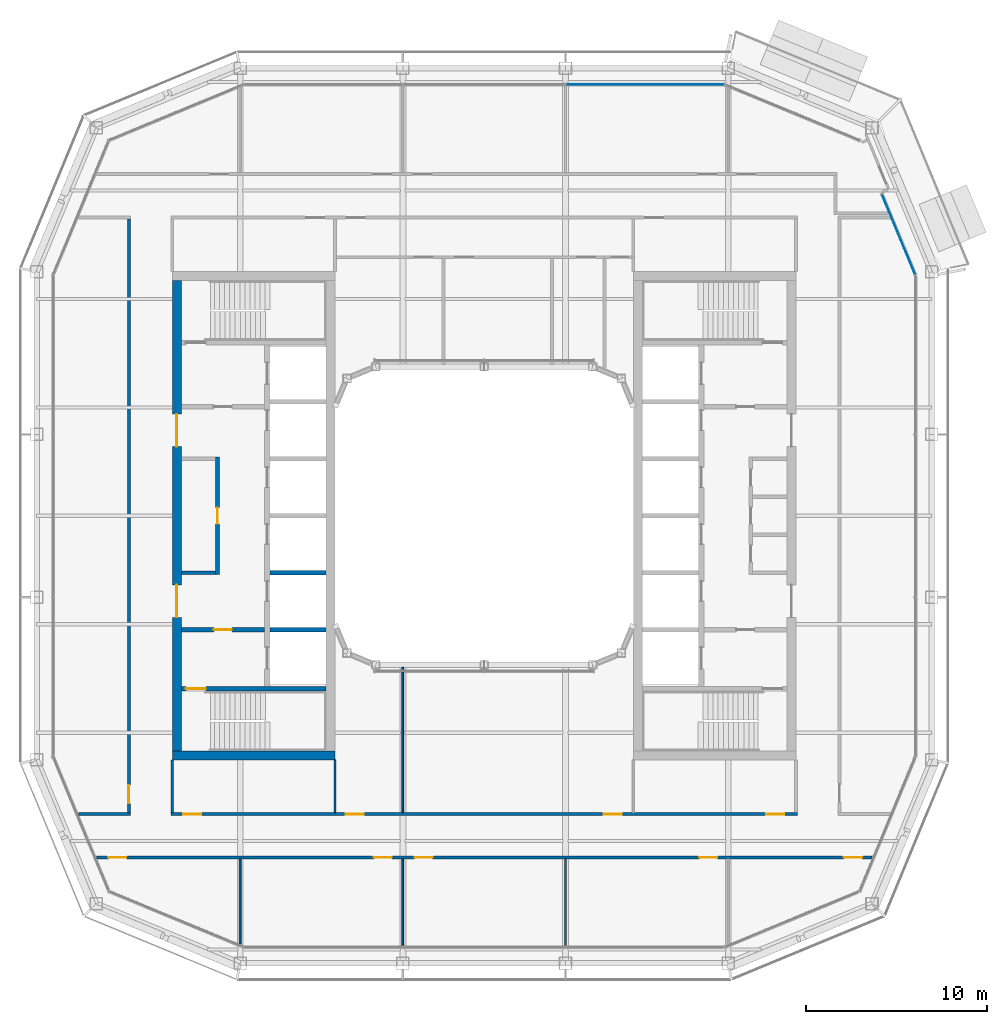
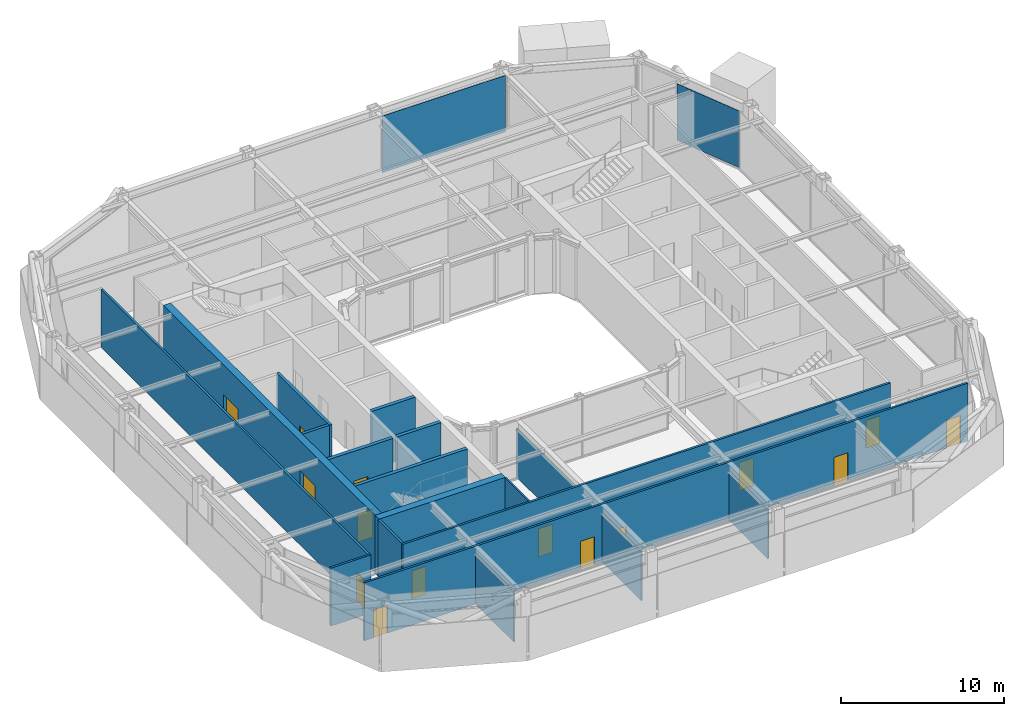
# One storey, part 11 of 21: 18 walls, 15 doors, 2 plates, 15 openings, 2 elements without a shape of their own.
"""IFC4 building model written with IfcOpenShell, lengths in metres."""

from ifc_helpers import new_model, si_unit, direction, frame, frame_2d, origin, origin_2d, place, context, subcontext, project, spatial, rectangle, extrude, material, layer, layer_set, type_object, element, fill, aggregate, save


model = new_model("IFC4")

# Units and contexts
model_context = context("Model", 3, precision=1e-05, world=origin(), true_north=direction((0.0, 1.0)))
body_context = subcontext(model_context, "Body", "Model", "MODEL_VIEW")
ifc_project = project(units=[si_unit("LENGTHUNIT", "METRE"), si_unit("AREAUNIT", "SQUARE_METRE"), si_unit("VOLUMEUNIT", "CUBIC_METRE"), si_unit("PLANEANGLEUNIT", "RADIAN"), si_unit("MASSUNIT", "GRAM", prefix="KILO")], contexts=[model_context])

# Site, building, storey
site_placement = place(None, origin())
site = spatial("IfcSite", under=ifc_project, at=site_placement, CompositionType="ELEMENT")
building_placement = place(site_placement, origin())
building = spatial("IfcBuilding", under=site, at=building_placement, Name="Siwar Civic Tower", CompositionType="ELEMENT")
storey_placement = place(building_placement, frame((0.0, 0.0, 325.699951171875)))
storey = spatial("IfcBuildingStorey", under=building, at=storey_placement, Name="L70", CompositionType="ELEMENT", Elevation=325.699951171875)

# Curtain wall, plate
ifc_material_1 = material(Name="Aluminium and glass", Category="aluminium")
ifc_layer_1 = layer(ifc_material_1, 0.159912109375)
ifc_layer_set_1 = layer_set([ifc_layer_1], Name="Aluminium and glass")
curtain_wall_type_1 = type_object("IfcCurtainWallType", Name="ENV-CW-D", PredefinedType="NOTDEFINED", material=ifc_layer_set_1)
curtain_wall_1_placement = place(storey_placement, origin())
curtain_wall_1 = element("IfcCurtainWall", 1, at=curtain_wall_1_placement, inside=storey, type_object=curtain_wall_type_1, Name="Curtain wall D N", PredefinedType="NOTDEFINED")
ifc_material_2 = material(Name="Glass clear laminated", Category="glass")
ifc_layer_2 = layer(ifc_material_2, 0.030029296875)
ifc_layer_set_2 = layer_set([ifc_layer_2], Name="Glass clear laminated")
plate_type_1 = type_object("IfcPlateType", Name="ENV-PANEL-D", PredefinedType="CURTAIN_PANEL", material=ifc_layer_set_2)
plate_1_placement = place(storey_placement, frame((8.910400390625, 23.85009765625, 0.10009765625), z_axis=(0.0, 0.0, 1.0), x_axis=(-1.0, 0.0, 0.0)))
plate_1 = element("IfcPlate", 2, at=plate_1_placement, type_object=plate_type_1, Name="Curtain panel D N 1", PredefinedType="CURTAIN_PANEL", context=body_context, shape_type="SweptSolid", body=[
    extrude(rectangle(XDim=8.760986328125, YDim=0.030029296875, at=origin_2d()), origin(), (0.0, 0.0, 1.0), 4.25),
])
aggregate(curtain_wall_1, [plate_1])

ifc_material_3 = material(Name="Aluminium clad insulated panel", Category="aluminium")
ifc_layer_3 = layer(ifc_material_3, 0.159912109375)
ifc_layer_set_3 = layer_set([ifc_layer_3], Name="Aluminium clad insulated panel")
curtain_wall_type_2 = type_object("IfcCurtainWallType", Name="ENV-CW-DX", PredefinedType="NOTDEFINED", material=ifc_layer_set_3)
curtain_wall_2_placement = place(storey_placement, origin())
curtain_wall_2 = element("IfcCurtainWall", 3, at=curtain_wall_2_placement, inside=storey, type_object=curtain_wall_type_2, Name="Curtain wall D NE1", PredefinedType="NOTDEFINED")
ifc_material_4 = material(Name="Aluminium clad insulated panel", Category="aluminium")
ifc_layer_4 = layer(ifc_material_4, 0.030029296875)
ifc_layer_set_4 = layer_set([ifc_layer_4], Name="Aluminium clad insulated panel")
plate_type_2 = type_object("IfcPlateType", Name="ENV-PANEL-DX", PredefinedType="CURTAIN_PANEL", material=ifc_layer_set_4)
plate_2_placement = place(storey_placement, frame((22.922607421875, 15.56005859375, 0.10009765625), z_axis=(0.0, 0.0, 1.0), x_axis=(-0.382683432365, 0.923879532511, 0.0)))
plate_2 = element("IfcPlate", 4, at=plate_2_placement, type_object=plate_type_2, Name="Curtain panel D NE1 1", PredefinedType="CURTAIN_PANEL", context=body_context, shape_type="SweptSolid", body=[
    extrude(rectangle(XDim=4.787109375, YDim=0.030029296875, at=origin_2d()), origin(), (0.0, 0.0, 1.0), 4.25),
])
aggregate(curtain_wall_2, [plate_2])

# Wall, opening, door
ifc_material_5 = material(Name="Gypsum board on steel studs", Category="steel")
ifc_layer_5 = layer(ifc_material_5, 0.199951171875)
ifc_layer_set_5 = layer_set([ifc_layer_5], Name="Gypsum board on steel studs")
wall_type_1 = type_object("IfcWallType", Name="CORE-PARTITION-200", PredefinedType="PARTITIONING", material=ifc_layer_set_5)
wall_1_placement = place(storey_placement, frame((-14.75, -3.25, 0.0), z_axis=(0.0, 0.0, 1.0), x_axis=(0.0, 1.0, 0.0)))
wall_1 = element("IfcWall", 5, at=wall_1_placement, inside=storey, type_object=wall_type_1, Name="Core partition W", PredefinedType="PARTITIONING", context=body_context, shape_type="SweptSolid", body=[
    extrude(rectangle(XDim=6.5, YDim=0.199951171875, at=frame_2d((3.25, 0.0))), origin(), (0.0, 0.0, 1.0), 4.35009765625),
])
opening_1_placement = place(wall_1_placement, frame((2.800048828125, 0.0, 0.0)))
opening_1 = element("IfcOpeningElement", 6, at=opening_1_placement, cuts=wall_1, Name="Opening L70-CW13", PredefinedType="OPENING", context=body_context, shape_type="SweptSolid", body=[
    extrude(rectangle(XDim=0.89990234375, YDim=2.10009765625, at=frame_2d((0.449951171875, 1.050048828125))), frame((0.0, 0.10986328125, 0.0), z_axis=(0.0, -1.0, 0.0), x_axis=(1.0, 0.0, 0.0)), (0.0, 0.0, 1.0), 0.219970703125),
])
ifc_material_6 = material(Name="Steel door leaf", Category="steel")
door_type_1 = type_object("IfcDoorType", Name="CORE-DOOR-ROOM", OperationType="SINGLE_SWING_LEFT", PredefinedType="DOOR", material=ifc_material_6)
door_1_placement = place(opening_1_placement, origin())
door_1 = element("IfcDoor", 7, at=door_1_placement, inside=storey, type_object=door_type_1, Name="Core room door L70-CW13", OperationType="SINGLE_SWING_RIGHT", OverallHeight=2.10009765625, OverallWidth=0.89990234375, PredefinedType="DOOR", context=body_context, shape_type="SweptSolid", body=[
    extrude(rectangle(XDim=0.89990234375, YDim=2.10009765625, at=frame_2d((0.449951171875, 1.050048828125))), frame((0.0, 0.02490234375, 0.0), z_axis=(0.0, -1.0, 0.0), x_axis=(1.0, 0.0, 0.0)), (0.0, 0.0, 1.0), 0.050048828125),
])
fill(opening_1, door_1)

# Wall
wall_2_placement = place(storey_placement, frame((-14.85009765625, -3.14990234375, 0.0), z_axis=(0.0, 0.0, 1.0), x_axis=(-1.0, 0.0, 0.0)))
element("IfcWall", 8, at=wall_2_placement, inside=storey, type_object=wall_type_1, Name="Core partition W", PredefinedType="PARTITIONING", context=body_context, shape_type="SweptSolid", body=[
    extrude(rectangle(XDim=1.89990234375, YDim=0.199951171875, at=frame_2d((0.949951171875, 0.0))), origin(), (0.0, 0.0, 1.0), 4.35009765625),
])

# Wall, opening, door
ifc_material_7 = material(Name="Concrete C60/75", Category="concrete")
ifc_layer_6 = layer(ifc_material_7, 0.25)
ifc_layer_set_6 = layer_set([ifc_layer_6], Name="Concrete C60/75")
wall_type_2 = type_object("IfcWallType", Name="CORE-WALL-RC250", PredefinedType="SHEAR", material=ifc_layer_set_6)
wall_3_placement = place(storey_placement, frame((-12.14990234375, -6.300048828125, 0.0), z_axis=(0.0, 0.0, 1.0), x_axis=(-1.0, 0.0, 0.0)))
wall_3 = element("IfcWall", 9, at=wall_3_placement, inside=storey, type_object=wall_type_2, Name="Core wall W", PredefinedType="SHEAR", context=body_context, shape_type="SweptSolid", body=[
    extrude(rectangle(XDim=4.60009765625, YDim=0.25, at=frame_2d((2.300048828125, 0.0))), origin(), (0.0, 0.0, 1.0), 4.35009765625),
])
opening_2_placement = place(wall_3_placement, frame((1.800048828125, 0.0, 0.0)))
opening_2 = element("IfcOpeningElement", 10, at=opening_2_placement, cuts=wall_3, Name="Opening L70-CW02", PredefinedType="OPENING", context=body_context, shape_type="SweptSolid", body=[
    extrude(rectangle(XDim=1.0, YDim=2.10009765625, at=frame_2d((0.5, 1.050048828125))), frame((0.0, 0.135009765625, 0.0), z_axis=(0.0, -1.0, 0.0), x_axis=(1.0, 0.0, 0.0)), (0.0, 0.0, 1.0), 0.27001953125),
])
ifc_material_8 = material(Name="Steel door leaf", Category="steel")
door_type_2 = type_object("IfcDoorType", Name="CORE-DOOR-FD30S", OperationType="SINGLE_SWING_LEFT", PredefinedType="DOOR", material=ifc_material_8)
door_2_placement = place(opening_2_placement, origin())
door_2 = element("IfcDoor", 11, at=door_2_placement, inside=storey, type_object=door_type_2, Name="Service lobby door L70-CW02", OperationType="SINGLE_SWING_RIGHT", OverallHeight=2.10009765625, OverallWidth=1.0, PredefinedType="DOOR", context=body_context, shape_type="SweptSolid", body=[
    extrude(rectangle(XDim=1.0, YDim=2.10009765625, at=frame_2d((0.5, 1.050048828125))), frame((0.0, 0.02490234375, 0.0), z_axis=(0.0, -1.0, 0.0), x_axis=(1.0, 0.0, 0.0)), (0.0, 0.0, 1.0), 0.050048828125),
])
fill(opening_2, door_2)

# Walls
for number, where, z_axis, x_axis, name in (
    (12, (-8.75, -3.14990234375, 0.0), (0.0, 0.0, 1.0), (-1.0, 0.0, 0.0), "Core wall W"),
    (13, (-8.75, -6.300048828125, 0.0), (0.0, 0.0, 1.0), (-1.0, 0.0, 0.0), "Core wall W"),
):
    element("IfcWall", number, at=place(storey_placement, frame(where, z_axis=z_axis, x_axis=x_axis)), inside=storey, type_object=wall_type_2, Name=name, PredefinedType="SHEAR", context=body_context, shape_type="SweptSolid", body=[
        extrude(rectangle(XDim=3.10009765625, YDim=0.25, at=frame_2d((1.550048828125, 0.0))), origin(), (0.0, 0.0, 1.0), 4.35009765625),
    ])

# Wall, opening, door
wall_4_placement = place(storey_placement, frame((-8.75, -9.574951171875, 0.0), z_axis=(0.0, 0.0, 1.0), x_axis=(-1.0, 0.0, 0.0)))
wall_4 = element("IfcWall", 14, at=wall_4_placement, inside=storey, type_object=wall_type_2, Name="Core wall W", PredefinedType="SHEAR", context=body_context, shape_type="SweptSolid", body=[
    extrude(rectangle(XDim=8.0, YDim=0.25, at=frame_2d((4.0, 0.0))), origin(), (0.0, 0.0, 1.0), 4.35009765625),
])
opening_3_placement = place(wall_4_placement, frame((6.64990234375, 0.0, 0.0)))
opening_3 = element("IfcOpeningElement", 15, at=opening_3_placement, cuts=wall_4, Name="Opening L70-CW04", PredefinedType="OPENING", context=body_context, shape_type="SweptSolid", body=[
    extrude(rectangle(XDim=1.10009765625, YDim=2.10009765625, at=frame_2d((0.550048828125, 1.050048828125))), frame((0.0, 0.135009765625, 0.0), z_axis=(0.0, -1.0, 0.0), x_axis=(1.0, 0.0, 0.0)), (0.0, 0.0, 1.0), 0.27001953125),
])
ifc_material_9 = material(Name="Steel door leaf", Category="steel")
door_type_3 = type_object("IfcDoorType", Name="CORE-DOOR-FD60S", OperationType="SINGLE_SWING_LEFT", PredefinedType="DOOR", material=ifc_material_9)
door_3_placement = place(opening_3_placement, origin())
door_3 = element("IfcDoor", 16, at=door_3_placement, inside=storey, type_object=door_type_3, Name="Stair door L70-CW04", OperationType="SINGLE_SWING_LEFT", OverallHeight=2.10009765625, OverallWidth=1.10009765625, PredefinedType="DOOR", context=body_context, shape_type="SweptSolid", body=[
    extrude(rectangle(XDim=1.10009765625, YDim=2.10009765625, at=frame_2d((0.550048828125, 1.050048828125))), frame((0.0, 0.02490234375, 0.0), z_axis=(0.0, -1.0, 0.0), x_axis=(1.0, 0.0, 0.0)), (0.0, 0.0, 1.0), 0.050048828125),
])
fill(opening_3, door_3)

# Wall, openings, doors
ifc_material_10 = material(Name="Concrete C60/75", Category="concrete")
ifc_layer_7 = layer(ifc_material_10, 0.5)
ifc_layer_set_7 = layer_set([ifc_layer_7], Name="Concrete C60/75")
wall_type_3 = type_object("IfcWallType", Name="CORE-WALL-RC500", PredefinedType="SHEAR", material=ifc_layer_set_7)
wall_5_placement = place(storey_placement, frame((-17.0, -13.0, 0.0), z_axis=(0.0, 0.0, 1.0), x_axis=(0.0, 1.0, 0.0)))
wall_5 = element("IfcWall", 17, at=wall_5_placement, inside=storey, type_object=wall_type_3, Name="Core wall W", PredefinedType="SHEAR", context=body_context, shape_type="SweptSolid", body=[
    extrude(rectangle(XDim=26.0, YDim=0.5, at=frame_2d((13.0, 0.0))), origin(), (0.0, 0.0, 1.0), 4.35009765625),
])
opening_4_placement = place(wall_5_placement, frame((16.824951171875, 0.0, 0.0)))
opening_4 = element("IfcOpeningElement", 18, at=opening_4_placement, cuts=wall_5, Name="Opening L70-CW05", PredefinedType="OPENING", context=body_context, shape_type="SweptSolid", body=[
    extrude(rectangle(XDim=1.800048828125, YDim=2.10009765625, at=frame_2d((0.89990234375, 1.050048828125))), frame((0.0, 0.260009765625, 0.0), z_axis=(0.0, -1.0, 0.0), x_axis=(1.0, 0.0, 0.0)), (0.0, 0.0, 1.0), 0.52001953125),
])
opening_5_placement = place(wall_5_placement, frame((7.375, 0.0, 0.0)))
opening_5 = element("IfcOpeningElement", 19, at=opening_5_placement, cuts=wall_5, Name="Opening L70-CW06", PredefinedType="OPENING", context=body_context, shape_type="SweptSolid", body=[
    extrude(rectangle(XDim=1.800048828125, YDim=2.10009765625, at=frame_2d((0.89990234375, 1.050048828125))), frame((0.0, 0.260009765625, 0.0), z_axis=(0.0, -1.0, 0.0), x_axis=(1.0, 0.0, 0.0)), (0.0, 0.0, 1.0), 0.52001953125),
])
ifc_material_11 = material(Name="Steel door leaf", Category="steel")
door_type_4 = type_object("IfcDoorType", Name="CORE-DOOR-PORT", OperationType="DOUBLE_DOOR_DOUBLE_SWING", PredefinedType="DOOR", material=ifc_material_11)
door_4_placement = place(opening_4_placement, origin())
door_4 = element("IfcDoor", 20, at=door_4_placement, inside=storey, type_object=door_type_4, Name="Core entrance door L70-CW05", OperationType="DOUBLE_DOOR_DOUBLE_SWING", OverallHeight=2.10009765625, OverallWidth=1.800048828125, PredefinedType="DOOR", context=body_context, shape_type="SweptSolid", body=[
    extrude(rectangle(XDim=1.800048828125, YDim=2.10009765625, at=frame_2d((0.89990234375, 1.050048828125))), frame((0.0, 0.02490234375, 0.0), z_axis=(0.0, -1.0, 0.0), x_axis=(1.0, 0.0, 0.0)), (0.0, 0.0, 1.0), 0.050048828125),
])
fill(opening_4, door_4)
door_5_placement = place(opening_5_placement, origin())
door_5 = element("IfcDoor", 21, at=door_5_placement, inside=storey, type_object=door_type_4, Name="Core entrance door L70-CW06", OperationType="DOUBLE_DOOR_DOUBLE_SWING", OverallHeight=2.10009765625, OverallWidth=1.800048828125, PredefinedType="DOOR", context=body_context, shape_type="SweptSolid", body=[
    extrude(rectangle(XDim=1.800048828125, YDim=2.10009765625, at=frame_2d((0.89990234375, 1.050048828125))), frame((0.0, 0.02490234375, 0.0), z_axis=(0.0, -1.0, 0.0), x_axis=(1.0, 0.0, 0.0)), (0.0, 0.0, 1.0), 0.050048828125),
])
fill(opening_5, door_5)

# Wall
wall_6_placement = place(storey_placement, frame((-8.25, -13.25, 0.0), z_axis=(0.0, 0.0, 1.0), x_axis=(-1.0, 0.0, 0.0)))
element("IfcWall", 22, at=wall_6_placement, inside=storey, type_object=wall_type_3, Name="Core wall W", PredefinedType="SHEAR", context=body_context, shape_type="SweptSolid", body=[
    extrude(rectangle(XDim=9.0, YDim=0.5, at=frame_2d((4.5, 0.0))), origin(), (0.0, 0.0, 1.0), 4.35009765625),
])

# Wall, openings, doors
ifc_material_12 = material(Name="Gypsum board on steel studs", Category="steel")
ifc_layer_8 = layer(ifc_material_12, 0.14990234375)
ifc_layer_set_8 = layer_set([ifc_layer_8], Name="Gypsum board on steel studs")
wall_type_4 = type_object("IfcWallType", Name="CORRIDOR PARTITION 150 EI 30", PredefinedType="PARTITIONING", material=ifc_layer_set_8)
wall_7_placement = place(storey_placement, frame((-21.44091796875, -18.89990234375, 0.0), z_axis=(0.0, 0.0, 1.0), x_axis=(1.0, 0.0, 0.0)))
wall_7 = element("IfcWall", 23, at=wall_7_placement, inside=storey, type_object=wall_type_4, Name="L70/wall/P01", PredefinedType="PARTITIONING", context=body_context, shape_type="SweptSolid", body=[
    extrude(rectangle(XDim=42.8818359375, YDim=0.14990234375, at=frame_2d((21.44091796875, 0.0))), origin(), (0.0, 0.0, 1.0), 4.35009765625),
])
opening_6_placement = place(wall_7_placement, frame((15.341064453125, 0.0, 0.0)))
opening_6 = element("IfcOpeningElement", 24, at=opening_6_placement, cuts=wall_7, Name="Opening D1", PredefinedType="OPENING", context=body_context, shape_type="SweptSolid", body=[
    extrude(rectangle(XDim=1.0, YDim=2.10009765625, at=frame_2d((0.5, 1.050048828125))), frame((0.0, 0.0849609375, 0.0), z_axis=(0.0, -1.0, 0.0), x_axis=(1.0, 0.0, 0.0)), (0.0, 0.0, 1.0), 0.169921875),
])
opening_7_placement = place(wall_7_placement, frame((17.591064453125, 0.0, 0.0)))
opening_7 = element("IfcOpeningElement", 25, at=opening_7_placement, cuts=wall_7, Name="Opening D1", PredefinedType="OPENING", context=body_context, shape_type="SweptSolid", body=[
    extrude(rectangle(XDim=1.0, YDim=2.10009765625, at=frame_2d((0.5, 1.050048828125))), frame((0.0, 0.0849609375, 0.0), z_axis=(0.0, -1.0, 0.0), x_axis=(1.0, 0.0, 0.0)), (0.0, 0.0, 1.0), 0.169921875),
])
opening_8_placement = place(wall_7_placement, frame((33.341064453125, 0.0, 0.0)))
opening_8 = element("IfcOpeningElement", 26, at=opening_8_placement, cuts=wall_7, Name="Opening D1", PredefinedType="OPENING", context=body_context, shape_type="SweptSolid", body=[
    extrude(rectangle(XDim=1.0, YDim=2.10009765625, at=frame_2d((0.5, 1.050048828125))), frame((0.0, 0.0849609375, 0.0), z_axis=(0.0, -1.0, 0.0), x_axis=(1.0, 0.0, 0.0)), (0.0, 0.0, 1.0), 0.169921875),
])
opening_9_placement = place(wall_7_placement, frame((0.64990234375, 0.0, 0.0)))
opening_9 = element("IfcOpeningElement", 27, at=opening_9_placement, cuts=wall_7, Name="Opening D1", PredefinedType="OPENING", context=body_context, shape_type="SweptSolid", body=[
    extrude(rectangle(XDim=1.0, YDim=2.10009765625, at=frame_2d((0.5, 1.050048828125))), frame((0.0, 0.0849609375, 0.0), z_axis=(0.0, -1.0, 0.0), x_axis=(1.0, 0.0, 0.0)), (0.0, 0.0, 1.0), 0.169921875),
])
opening_10_placement = place(wall_7_placement, frame((41.341064453125, 0.0, 0.0)))
opening_10 = element("IfcOpeningElement", 28, at=opening_10_placement, cuts=wall_7, Name="Opening D1", PredefinedType="OPENING", context=body_context, shape_type="SweptSolid", body=[
    extrude(rectangle(XDim=1.0, YDim=2.10009765625, at=frame_2d((0.5, 1.050048828125))), frame((0.0, 0.0849609375, 0.0), z_axis=(0.0, -1.0, 0.0), x_axis=(1.0, 0.0, 0.0)), (0.0, 0.0, 1.0), 0.169921875),
])
ifc_material_13 = material(Name="Timber, painted", Category="wood")
door_type_5 = type_object("IfcDoorType", Name="DOOR 1000 X 2100 FD30", OperationType="SINGLE_SWING_LEFT", PredefinedType="DOOR", material=ifc_material_13)
door_6_placement = place(opening_6_placement, origin())
door_6 = element("IfcDoor", 29, at=door_6_placement, inside=storey, type_object=door_type_5, Name="L70-D04", OperationType="SINGLE_SWING_RIGHT", OverallHeight=2.10009765625, OverallWidth=1.0, PredefinedType="DOOR", context=body_context, shape_type="SweptSolid", body=[
    extrude(rectangle(XDim=1.0, YDim=2.10009765625, at=frame_2d((0.5, 1.050048828125))), frame((0.0, 0.02490234375, 0.0), z_axis=(0.0, -1.0, 0.0), x_axis=(1.0, 0.0, 0.0)), (0.0, 0.0, 1.0), 0.050048828125),
])
fill(opening_6, door_6)
door_7_placement = place(opening_7_placement, origin())
door_7 = element("IfcDoor", 30, at=door_7_placement, inside=storey, type_object=door_type_5, Name="L70-D05", OperationType="SINGLE_SWING_LEFT", OverallHeight=2.10009765625, OverallWidth=1.0, PredefinedType="DOOR", context=body_context, shape_type="SweptSolid", body=[
    extrude(rectangle(XDim=1.0, YDim=2.10009765625, at=frame_2d((0.5, 1.050048828125))), frame((0.0, 0.02490234375, 0.0), z_axis=(0.0, -1.0, 0.0), x_axis=(1.0, 0.0, 0.0)), (0.0, 0.0, 1.0), 0.050048828125),
])
fill(opening_7, door_7)
door_8_placement = place(opening_8_placement, origin())
door_8 = element("IfcDoor", 31, at=door_8_placement, inside=storey, type_object=door_type_5, Name="L70-D06", OperationType="SINGLE_SWING_RIGHT", OverallHeight=2.10009765625, OverallWidth=1.0, PredefinedType="DOOR", context=body_context, shape_type="SweptSolid", body=[
    extrude(rectangle(XDim=1.0, YDim=2.10009765625, at=frame_2d((0.5, 1.050048828125))), frame((0.0, 0.02490234375, 0.0), z_axis=(0.0, -1.0, 0.0), x_axis=(1.0, 0.0, 0.0)), (0.0, 0.0, 1.0), 0.050048828125),
])
fill(opening_8, door_8)
door_9_placement = place(opening_9_placement, origin())
door_9 = element("IfcDoor", 32, at=door_9_placement, inside=storey, type_object=door_type_5, Name="L70-D09", OperationType="SINGLE_SWING_LEFT", OverallHeight=2.10009765625, OverallWidth=1.0, PredefinedType="DOOR", context=body_context, shape_type="SweptSolid", body=[
    extrude(rectangle(XDim=1.0, YDim=2.10009765625, at=frame_2d((0.5, 1.050048828125))), frame((0.0, 0.02490234375, 0.0), z_axis=(0.0, -1.0, 0.0), x_axis=(1.0, 0.0, 0.0)), (0.0, 0.0, 1.0), 0.050048828125),
])
fill(opening_9, door_9)
door_10_placement = place(opening_10_placement, origin())
door_10 = element("IfcDoor", 33, at=door_10_placement, inside=storey, type_object=door_type_5, Name="L70-D10", OperationType="SINGLE_SWING_RIGHT", OverallHeight=2.10009765625, OverallWidth=1.0, PredefinedType="DOOR", context=body_context, shape_type="SweptSolid", body=[
    extrude(rectangle(XDim=1.0, YDim=2.10009765625, at=frame_2d((0.5, 1.050048828125))), frame((0.0, 0.02490234375, 0.0), z_axis=(0.0, -1.0, 0.0), x_axis=(1.0, 0.0, 0.0)), (0.0, 0.0, 1.0), 0.050048828125),
])
fill(opening_10, door_10)

# Wall
wall_8_placement = place(storey_placement, frame((-22.43603515625, -16.5, 0.0), z_axis=(0.0, 0.0, 1.0), x_axis=(1.0, 0.0, 0.0)))
element("IfcWall", 34, at=wall_8_placement, inside=storey, type_object=wall_type_4, Name="L70/wall/P02", PredefinedType="PARTITIONING", context=body_context, shape_type="SweptSolid", body=[
    extrude(rectangle(XDim=2.861083984375, YDim=0.14990234375, at=frame_2d((1.4306640625, 0.0))), origin(), (0.0, 0.0, 1.0), 4.35009765625),
])

# Wall, openings, doors
wall_9_placement = place(storey_placement, frame((-17.324951171875, -16.5, 0.0), z_axis=(0.0, 0.0, 1.0), x_axis=(1.0, 0.0, 0.0)))
wall_9 = element("IfcWall", 35, at=wall_9_placement, inside=storey, type_object=wall_type_4, Name="L70/wall/P03", PredefinedType="PARTITIONING", context=body_context, shape_type="SweptSolid", body=[
    extrude(rectangle(XDim=34.64990234375, YDim=0.14990234375, at=frame_2d((17.324951171875, 0.0))), origin(), (0.0, 0.0, 1.0), 4.35009765625),
])
opening_11_placement = place(wall_9_placement, frame((9.675048828125, 0.0, 0.0)))
opening_11 = element("IfcOpeningElement", 36, at=opening_11_placement, cuts=wall_9, Name="Opening D1", PredefinedType="OPENING", context=body_context, shape_type="SweptSolid", body=[
    extrude(rectangle(XDim=1.0, YDim=2.10009765625, at=frame_2d((0.5, 1.050048828125))), frame((0.0, 0.0849609375, 0.0), z_axis=(0.0, -1.0, 0.0), x_axis=(1.0, 0.0, 0.0)), (0.0, 0.0, 1.0), 0.169921875),
])
opening_12_placement = place(wall_9_placement, frame((23.925048828125, 0.0, 0.0)))
opening_12 = element("IfcOpeningElement", 37, at=opening_12_placement, cuts=wall_9, Name="Opening D1", PredefinedType="OPENING", context=body_context, shape_type="SweptSolid", body=[
    extrude(rectangle(XDim=1.0, YDim=2.10009765625, at=frame_2d((0.5, 1.050048828125))), frame((0.0, 0.0849609375, 0.0), z_axis=(0.0, -1.0, 0.0), x_axis=(1.0, 0.0, 0.0)), (0.0, 0.0, 1.0), 0.169921875),
])
opening_13_placement = place(wall_9_placement, frame((0.675048828125, 0.0, 0.0)))
opening_13 = element("IfcOpeningElement", 38, at=opening_13_placement, cuts=wall_9, Name="Opening D1", PredefinedType="OPENING", context=body_context, shape_type="SweptSolid", body=[
    extrude(rectangle(XDim=1.0, YDim=2.10009765625, at=frame_2d((0.5, 1.050048828125))), frame((0.0, 0.0849609375, 0.0), z_axis=(0.0, -1.0, 0.0), x_axis=(1.0, 0.0, 0.0)), (0.0, 0.0, 1.0), 0.169921875),
])
opening_14_placement = place(wall_9_placement, frame((32.925048828125, 0.0, 0.0)))
opening_14 = element("IfcOpeningElement", 39, at=opening_14_placement, cuts=wall_9, Name="Opening D1", PredefinedType="OPENING", context=body_context, shape_type="SweptSolid", body=[
    extrude(rectangle(XDim=1.0, YDim=2.10009765625, at=frame_2d((0.5, 1.050048828125))), frame((0.0, 0.0849609375, 0.0), z_axis=(0.0, -1.0, 0.0), x_axis=(1.0, 0.0, 0.0)), (0.0, 0.0, 1.0), 0.169921875),
])
door_11_placement = place(opening_11_placement, origin())
door_11 = element("IfcDoor", 40, at=door_11_placement, inside=storey, type_object=door_type_5, Name="L70-D16", OperationType="SINGLE_SWING_RIGHT", OverallHeight=2.10009765625, OverallWidth=1.0, PredefinedType="DOOR", context=body_context, shape_type="SweptSolid", body=[
    extrude(rectangle(XDim=1.0, YDim=2.10009765625, at=frame_2d((0.5, 1.050048828125))), frame((0.0, 0.02490234375, 0.0), z_axis=(0.0, -1.0, 0.0), x_axis=(1.0, 0.0, 0.0)), (0.0, 0.0, 1.0), 0.050048828125),
])
fill(opening_11, door_11)
door_12_placement = place(opening_12_placement, origin())
door_12 = element("IfcDoor", 41, at=door_12_placement, inside=storey, type_object=door_type_5, Name="L70-D17", OperationType="SINGLE_SWING_LEFT", OverallHeight=2.10009765625, OverallWidth=1.0, PredefinedType="DOOR", context=body_context, shape_type="SweptSolid", body=[
    extrude(rectangle(XDim=1.0, YDim=2.10009765625, at=frame_2d((0.5, 1.050048828125))), frame((0.0, 0.02490234375, 0.0), z_axis=(0.0, -1.0, 0.0), x_axis=(1.0, 0.0, 0.0)), (0.0, 0.0, 1.0), 0.050048828125),
])
fill(opening_12, door_12)
door_13_placement = place(opening_13_placement, origin())
door_13 = element("IfcDoor", 42, at=door_13_placement, inside=storey, type_object=door_type_5, Name="L70-D20", OperationType="SINGLE_SWING_RIGHT", OverallHeight=2.10009765625, OverallWidth=1.0, PredefinedType="DOOR", context=body_context, shape_type="SweptSolid", body=[
    extrude(rectangle(XDim=1.0, YDim=2.10009765625, at=frame_2d((0.5, 1.050048828125))), frame((0.0, 0.02490234375, 0.0), z_axis=(0.0, -1.0, 0.0), x_axis=(1.0, 0.0, 0.0)), (0.0, 0.0, 1.0), 0.050048828125),
])
fill(opening_13, door_13)
door_14_placement = place(opening_14_placement, origin())
door_14 = element("IfcDoor", 43, at=door_14_placement, inside=storey, type_object=door_type_5, Name="L70-D21", OperationType="SINGLE_SWING_LEFT", OverallHeight=2.10009765625, OverallWidth=1.0, PredefinedType="DOOR", context=body_context, shape_type="SweptSolid", body=[
    extrude(rectangle(XDim=1.0, YDim=2.10009765625, at=frame_2d((0.5, 1.050048828125))), frame((0.0, 0.02490234375, 0.0), z_axis=(0.0, -1.0, 0.0), x_axis=(1.0, 0.0, 0.0)), (0.0, 0.0, 1.0), 0.050048828125),
])
fill(opening_14, door_14)

# Wall, opening, door
wall_10_placement = place(storey_placement, frame((-19.64990234375, -16.425048828125, 0.0), z_axis=(0.0, 0.0, 1.0), x_axis=(0.0, 1.0, 0.0)))
wall_10 = element("IfcWall", 44, at=wall_10_placement, inside=storey, type_object=wall_type_4, Name="L70/wall/P12", PredefinedType="PARTITIONING", context=body_context, shape_type="SweptSolid", body=[
    extrude(rectangle(XDim=32.844970703125, YDim=0.14990234375, at=frame_2d((16.42236328125, 0.0))), origin(), (0.0, 0.0, 1.0), 4.35009765625),
])
opening_15_placement = place(wall_10_placement, frame((0.52001953125, 0.0, 0.0)))
opening_15 = element("IfcOpeningElement", 45, at=opening_15_placement, cuts=wall_10, Name="Opening D1", PredefinedType="OPENING", context=body_context, shape_type="SweptSolid", body=[
    extrude(rectangle(XDim=1.0, YDim=2.10009765625, at=frame_2d((0.5, 1.050048828125))), frame((0.0, 0.0849609375, 0.0), z_axis=(0.0, -1.0, 0.0), x_axis=(1.0, 0.0, 0.0)), (0.0, 0.0, 1.0), 0.169921875),
])
door_15_placement = place(opening_15_placement, origin())
door_15 = element("IfcDoor", 46, at=door_15_placement, inside=storey, type_object=door_type_5, Name="L70-D22", OperationType="SINGLE_SWING_RIGHT", OverallHeight=2.10009765625, OverallWidth=1.0, PredefinedType="DOOR", context=body_context, shape_type="SweptSolid", body=[
    extrude(rectangle(XDim=1.0, YDim=2.10009765625, at=frame_2d((0.5, 1.050048828125))), frame((0.0, 0.02490234375, 0.0), z_axis=(0.0, -1.0, 0.0), x_axis=(1.0, 0.0, 0.0)), (0.0, 0.0, 1.0), 0.050048828125),
])
fill(opening_15, door_15)

# Walls
wall_11_placement = place(storey_placement, frame((-17.25, -16.425048828125, 0.0), z_axis=(0.0, 0.0, 1.0), x_axis=(0.0, 1.0, 0.0)))
element("IfcWall", 47, at=wall_11_placement, inside=storey, type_object=wall_type_4, Name="L70/wall/P13", PredefinedType="PARTITIONING", context=body_context, shape_type="SweptSolid", body=[
    extrude(rectangle(XDim=2.925048828125, YDim=0.14990234375, at=frame_2d((1.46240234375, 0.0))), origin(), (0.0, 0.0, 1.0), 4.35009765625),
])
ifc_material_14 = material(Name="Gypsum board on steel studs", Category="steel")
ifc_layer_9 = layer(ifc_material_14, 0.10009765625)
ifc_layer_set_9 = layer_set([ifc_layer_9], Name="Gypsum board on steel studs")
wall_type_5 = type_object("IfcWallType", Name="PARTITION 100 GYPSUM", PredefinedType="PARTITIONING", material=ifc_layer_set_9)
wall_12_placement = place(storey_placement, frame((-13.5, -23.677978515625, 0.0), z_axis=(0.0, 0.0, 1.0), x_axis=(0.0, 1.0, 0.0)))
element("IfcWall", 48, at=wall_12_placement, inside=storey, type_object=wall_type_5, Name="L70/wall/P15", PredefinedType="PARTITIONING", context=body_context, shape_type="SweptSolid", body=[
    extrude(rectangle(XDim=4.702880859375, YDim=0.10009765625, at=frame_2d((2.3515625, 0.0))), origin(), (0.0, 0.0, 1.0), 3.75),
])
wall_13_placement = place(storey_placement, frame((-8.25, -16.425048828125, 0.0), z_axis=(0.0, 0.0, 1.0), x_axis=(0.0, 1.0, 0.0)))
element("IfcWall", 49, at=wall_13_placement, inside=storey, type_object=wall_type_5, Name="L70/wall/P17", PredefinedType="PARTITIONING", context=body_context, shape_type="SweptSolid", body=[
    extrude(rectangle(XDim=2.925048828125, YDim=0.10009765625, at=frame_2d((1.46240234375, 0.0))), origin(), (0.0, 0.0, 1.0), 4.35009765625),
])
wall_14_placement = place(storey_placement, frame((-4.5, -23.760009765625, 0.0), z_axis=(0.0, 0.0, 1.0), x_axis=(0.0, 1.0, 0.0)))
element("IfcWall", 50, at=wall_14_placement, inside=storey, type_object=wall_type_5, Name="L70/wall/P19", PredefinedType="PARTITIONING", context=body_context, shape_type="SweptSolid", body=[
    extrude(rectangle(XDim=4.784912109375, YDim=0.10009765625, at=frame_2d((2.392578125, 0.0))), origin(), (0.0, 0.0, 1.0), 3.650146484375),
])
wall_15_placement = place(storey_placement, frame((-4.5, -16.425048828125, 0.0), z_axis=(0.0, 0.0, 1.0), x_axis=(0.0, 1.0, 0.0)))
element("IfcWall", 51, at=wall_15_placement, inside=storey, type_object=wall_type_5, Name="L70/wall/P20", PredefinedType="PARTITIONING", context=body_context, shape_type="SweptSolid", body=[
    extrude(rectangle(XDim=8.054931640625, YDim=0.10009765625, at=frame_2d((4.02734375, 0.0))), origin(), (0.0, 0.0, 1.0), 3.650146484375),
])
wall_16_placement = place(storey_placement, frame((4.5, -23.760009765625, 0.0), z_axis=(0.0, 0.0, 1.0), x_axis=(0.0, 1.0, 0.0)))
element("IfcWall", 52, at=wall_16_placement, inside=storey, type_object=wall_type_5, Name="L70/wall/P24", PredefinedType="PARTITIONING", context=body_context, shape_type="SweptSolid", body=[
    extrude(rectangle(XDim=4.784912109375, YDim=0.10009765625, at=frame_2d((2.392578125, 0.0))), origin(), (0.0, 0.0, 1.0), 3.650146484375),
])

save(model, "model.ifc")
